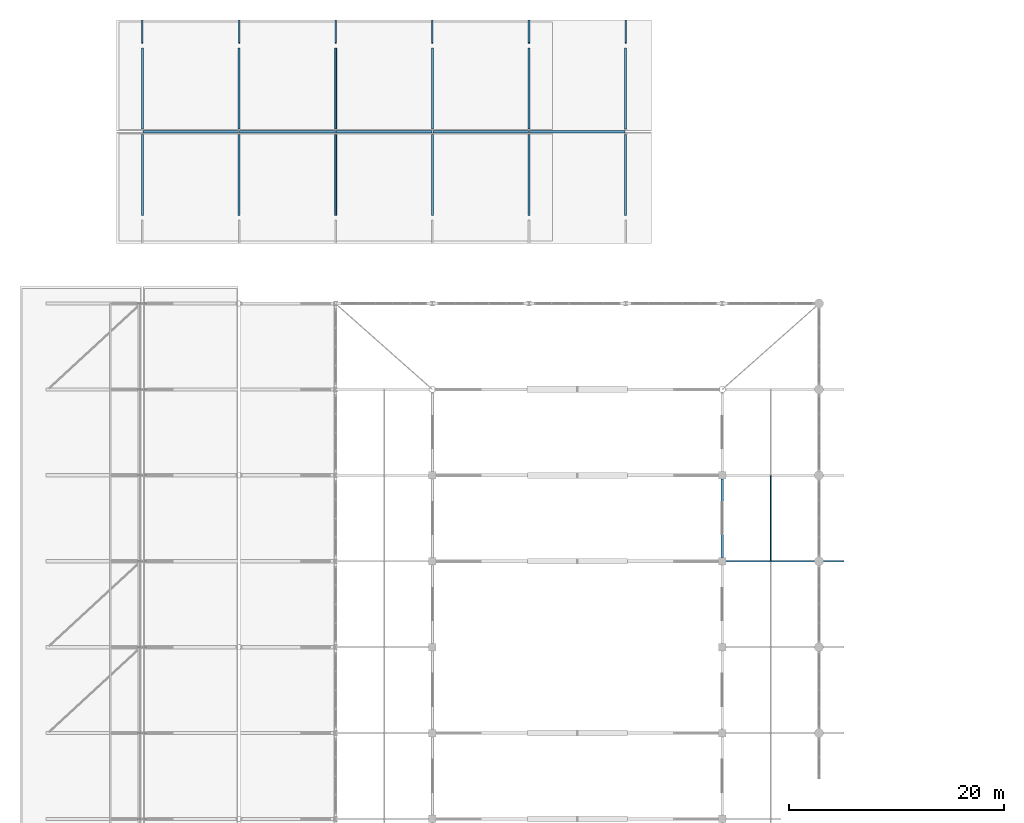
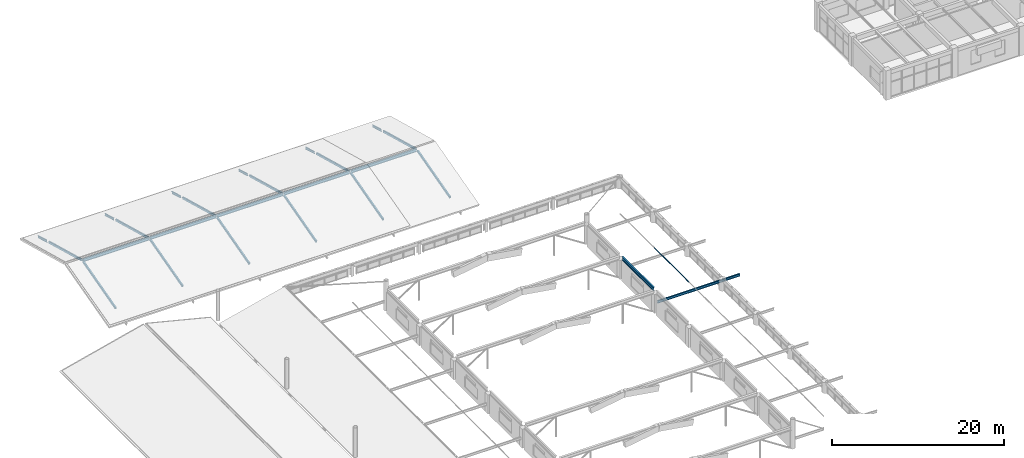
# One storey, part 56 of 128: 13 beams, 13 members.
"""IFC4 building model written with IfcOpenShell, lengths in metres."""

import ifcopenshell
import ifcopenshell.guid

model = None  # the IFC model being written
_history = None  # IfcOwnerHistory: only IFC2X3 demands one
_inside = {}  # id of a spatial element -> (the spatial element, [elements in it])
_under = {}  # id of a project, library or spatial element -> (it, [spatial elements below it])
_declared = {}  # id of a project -> (the project, [libraries it declares])
_typed = {}  # id of a type object -> (the type object, [elements of that type])
_made_of = {}  # id of a material, layer set ... -> (it, [elements and type objects made of it])


def new_model(schema):
    """Start an empty IFC model of exactly this schema.

    Asked for "IFC4X3", IfcOpenShell would pick the latest addendum, in which some entities
    have other attributes; the version numbers below select the first issue.
    IFC2X3 requires an IfcOwnerHistory on every rooted entity: one is made here for all.
    """
    global model, _history
    if schema == "IFC4X3":
        model = ifcopenshell.file(schema_version=(4, 3, 0, 0))
    else:
        model = ifcopenshell.file(schema=schema)
    _inside.clear()
    _under.clear()
    _declared.clear()
    _typed.clear()
    _made_of.clear()
    _history = None
    if model.schema == "IFC2X3":
        org = make("IfcOrganization", Name="unknown")
        user = make(
            "IfcPersonAndOrganization",
            ThePerson=make("IfcPerson", FamilyName="unknown"),
            TheOrganization=org,
        )
        app = make(
            "IfcApplication",
            ApplicationDeveloper=org,
            Version="unknown",
            ApplicationFullName="unknown",
            ApplicationIdentifier="unknown",
        )
        _history = make(
            "IfcOwnerHistory",
            OwningUser=user,
            OwningApplication=app,
            ChangeAction="ADDED",
            CreationDate=0,
        )
    return model


def make(cls, **values):
    """One entity of the class cls with the attributes given. An attribute that is None is left unset."""
    return model.create_entity(
        cls, **{name: value for name, value in values.items() if value is not None}
    )


def rooted(cls, **values):
    """An entity with a GlobalId (a new one), such as an element, a storey or a relation."""
    return make(cls, GlobalId=ifcopenshell.guid.new(), OwnerHistory=_history, **values)


def si_unit(unit_type, name, prefix=None):
    """IfcSIUnit, for example si_unit("LENGTHUNIT", "METRE", prefix="MILLI")."""
    return make("IfcSIUnit", UnitType=unit_type, Prefix=prefix, Name=name)


def derived_unit(unit_type, elements):
    """IfcDerivedUnit: a product of units, each with its exponent."""
    return make(
        "IfcDerivedUnit",
        Elements=[
            make("IfcDerivedUnitElement", Unit=unit, Exponent=power)
            for unit, power in elements
        ],
        UnitType=unit_type,
    )


def assignment(units):
    """IfcUnitAssignment: the units of a project."""
    return None if units is None else make("IfcUnitAssignment", Units=units)


def point(xyz):
    """IfcCartesianPoint."""
    return None if xyz is None else make("IfcCartesianPoint", Coordinates=xyz)


def direction(xyz):
    """IfcDirection."""
    return None if xyz is None else make("IfcDirection", DirectionRatios=xyz)


def frame(location, z_axis=None, x_axis=None):
    """IfcAxis2Placement3D, a coordinate frame: its origin and axes. An axis left out is left unset."""
    return make(
        "IfcAxis2Placement3D",
        Location=point(location),
        Axis=direction(z_axis),
        RefDirection=direction(x_axis),
    )


def frame_2d(location, x_axis=None):
    """IfcAxis2Placement2D, a coordinate frame in the plane: its origin and x axis."""
    return make(
        "IfcAxis2Placement2D", Location=point(location), RefDirection=direction(x_axis)
    )


def origin():
    """The frame at (0, 0, 0) with its axes left unset."""
    return frame((0.0, 0.0, 0.0))


def origin_2d():
    """The frame at (0, 0) in the plane with its x axis left unset."""
    return frame_2d((0.0, 0.0))


def place(relative_to, where):
    """IfcLocalPlacement: puts the frame where relative to a parent placement (None: the world)."""
    return make(
        "IfcLocalPlacement", PlacementRelTo=relative_to, RelativePlacement=where
    )


def context(
    kind, dimensions, precision=None, world=None, true_north=None, identifier=None
):
    """IfcGeometricRepresentationContext, for example the 3D "Model" context."""
    return make(
        "IfcGeometricRepresentationContext",
        ContextIdentifier=identifier,
        ContextType=kind,
        CoordinateSpaceDimension=dimensions,
        Precision=precision,
        WorldCoordinateSystem=world,
        TrueNorth=true_north,
    )


def subcontext(parent, identifier, kind, view, scale=None):
    """IfcGeometricRepresentationSubContext, for example "Body" below "Model"."""
    return make(
        "IfcGeometricRepresentationSubContext",
        ContextIdentifier=identifier,
        ContextType=kind,
        ParentContext=parent,
        TargetScale=scale,
        TargetView=view,
    )


def project(units=None, contexts=None):
    """IfcProject with its units and contexts."""
    return rooted(
        "IfcProject",
        Name="project",
        RepresentationContexts=contexts,
        UnitsInContext=assignment(units),
    )


def spatial(cls, under=None, at=None, **own):
    """A site, building, storey or space (cls), placed at a placement, below another one or the project."""
    s = rooted(cls, ObjectPlacement=at, **own)
    if under is not None:
        _under.setdefault(under.id(), (under, []))[1].append(s)
    return s


def profile(cls, at=None, kind="AREA", **sizes):
    """A parametric profile (cls). Its sizes go by their IFC names, for example OverallWidth=200.0."""
    return make(cls, ProfileType=kind, Position=at, **sizes)


def hollow_rectangle(**sizes):
    """IfcRectangleHollowProfileDef."""
    return profile("IfcRectangleHollowProfileDef", **sizes)


def hollow_circle(**sizes):
    """IfcCircleHollowProfileDef."""
    return profile("IfcCircleHollowProfileDef", **sizes)


def i_section(**sizes):
    """IfcIShapeProfileDef."""
    return profile("IfcIShapeProfileDef", **sizes)


def extrude(swept, where, along, depth):
    """IfcExtrudedAreaSolid: the profile swept, set in the frame where, extruded along a direction by depth."""
    return make(
        "IfcExtrudedAreaSolid",
        SweptArea=swept,
        Position=where,
        ExtrudedDirection=direction(along),
        Depth=depth,
    )


def shape(context_of_items, identifier, shape_type, items):
    """IfcShapeRepresentation: the items that make up one representation, for example the "Body"."""
    return make(
        "IfcShapeRepresentation",
        ContextOfItems=context_of_items,
        RepresentationIdentifier=identifier,
        RepresentationType=shape_type,
        Items=items,
    )


def material(Name=None, Category=None):
    """IfcMaterial."""
    return make("IfcMaterial", Name=Name, Category=Category)


def material_profile(
    of_material, cross_section, Name=None, Category=None, Priority=None
):
    """IfcMaterialProfile: a cross section and its material."""
    return make(
        "IfcMaterialProfile",
        Name=Name,
        Material=of_material,
        Profile=cross_section,
        Priority=Priority,
        Category=Category,
    )


def profile_set(profiles, Name=None, composite=None):
    """IfcMaterialProfileSet."""
    return make(
        "IfcMaterialProfileSet",
        Name=Name,
        MaterialProfiles=profiles,
        CompositeProfile=composite,
    )


def made_of(thing, what):
    """Note that an element or type object is made of a material, layer set ...; save() writes the relation."""
    if what is not None:
        _made_of.setdefault(what.id(), (what, []))[1].append(thing)
    return thing


def type_object(cls, material=None, **own):
    """A type object (cls), such as IfcWallType, which elements share."""
    return made_of(rooted(cls, **own), material)


def element(
    cls,
    number,
    at=None,
    inside=None,
    cuts=None,
    type_object=None,
    material=None,
    context=None,
    identifier="Body",
    shape_type=None,
    held_by="IfcProductDefinitionShape",
    body=None,
    shapes=None,
    **own,
):
    """One element of the class cls, such as IfcWall. Its Tag is "e" and its number.

    at: its placement. inside: the storey or other place that contains it. cuts: it is an
    opening in that element (IfcRelVoidsElement). A single representation is given by context,
    identifier, shape_type and body (its items); several are given by shapes. held_by: the class
    of the entity that holds the representations. save() writes the other relations.
    """
    e = rooted(cls, Tag="e%d" % number, ObjectPlacement=at, **own)
    if body is not None:
        shapes = [shape(context, identifier, shape_type, body)]
    if shapes is not None:
        e.Representation = make(held_by, Representations=shapes)
    if inside is not None:
        _inside.setdefault(inside.id(), (inside, []))[1].append(e)
    if cuts is not None:
        rooted(
            "IfcRelVoidsElement", RelatingBuildingElement=cuts, RelatedOpeningElement=e
        )
    if type_object is not None:
        _typed.setdefault(type_object.id(), (type_object, []))[1].append(e)
    return made_of(e, material)


def aggregate(whole, parts):
    """IfcRelAggregates: a whole, such as a stair, and the parts it consists of."""
    return rooted("IfcRelAggregates", RelatingObject=whole, RelatedObjects=parts)


def save(model, path):
    """Write the relations noted so far, then the file.

    IfcRelAggregates (storeys below a building ...), IfcRelContainedInSpatialStructure (elements
    in a storey), IfcRelDefinesByType, IfcRelAssociatesMaterial and IfcRelDeclares: one each for
    every whole, place, type object, material and project.
    """
    for whole, parts in _under.values():
        aggregate(whole, parts)
    for where, things in _inside.values():
        rooted(
            "IfcRelContainedInSpatialStructure",
            RelatedElements=things,
            RelatingStructure=where,
        )
    for kind, things in _typed.values():
        rooted("IfcRelDefinesByType", RelatedObjects=things, RelatingType=kind)
    for what, things in _made_of.values():
        rooted("IfcRelAssociatesMaterial", RelatedObjects=things, RelatingMaterial=what)
    for by, libraries in _declared.values():
        rooted("IfcRelDeclares", RelatingContext=by, RelatedDefinitions=libraries)
    model.write(path)


model = new_model("IFC4")

# Units and contexts
model_context = context("Model", 3, precision=1e-05, world=origin(), true_north=direction((0.0, 1.0)))
body_context = subcontext(model_context, "Body", "Model", "MODEL_VIEW")
ifc_project = project(units=[si_unit("LENGTHUNIT", "METRE"), si_unit("AREAUNIT", "SQUARE_METRE"), si_unit("VOLUMEUNIT", "CUBIC_METRE"), si_unit("PLANEANGLEUNIT", "RADIAN"), si_unit("MASSUNIT", "GRAM", prefix="KILO"), derived_unit("THERMALTRANSMITTANCEUNIT", [(si_unit("MASSUNIT", "GRAM", prefix="KILO"), 1), (si_unit("TIMEUNIT", "SECOND"), -3), (si_unit("THERMODYNAMICTEMPERATUREUNIT", "KELVIN"), -1)])], contexts=[model_context])

# Site, building, storey
site_placement = place(None, origin())
site = spatial("IfcSite", under=ifc_project, at=site_placement, CompositionType="ELEMENT")
building_placement = place(site_placement, origin())
building = spatial("IfcBuilding", under=site, at=building_placement, Name="Zhenchuan Archway Interchange", CompositionType="ELEMENT")
storey_placement = place(building_placement, frame((0.0, 0.0, 14.39990234375)))
storey = spatial("IfcBuildingStorey", under=building, at=storey_placement, Name="L03", CompositionType="ELEMENT", Elevation=14.39990234375)

# Beams
ifc_material_1 = material(Name="Steel Q355", Category="steel")
ifc_material_profile_1 = material_profile(ifc_material_1, i_section(OverallWidth=0.14990234375, OverallDepth=0.300048828125, WebThickness=0.006591796875, FlangeThickness=0.009033203125, FilletRadius=0.012939453125, at=origin_2d()), Name="HN 300x150")
ifc_profile_set_1 = profile_set([ifc_material_profile_1], Name="Steel Q355")
beam_type_1 = type_object("IfcBeamType", Name="BM_STL_EAVE_HN300", PredefinedType="BEAM", material=ifc_profile_set_1)
for number, where, z_axis, x_axis, name in (
    (1, (9.0, 112.25, -0.3798828125), (0.0, 0.961515511102, -0.274750654067), (-1.0, 0.0, 0.0), "Terminal Wing storm-eave bracket X9-N"),
    (2, (18.0, 112.25, -0.3798828125), (0.0, 0.961515511102, -0.274750654067), (-1.0, 0.0, 0.0), "Terminal Wing storm-eave bracket X18-N"),
    (3, (27.0, 112.25, -0.3798828125), (0.0, 0.961515511102, -0.274750654067), (-1.0, 0.0, 0.0), "Terminal Wing storm-eave bracket X27-N"),
    (4, (36.0, 112.25, -0.3798828125), (0.0, 0.961515511102, -0.274750654067), (-1.0, 0.0, 0.0), "Terminal Wing storm-eave bracket X36-N"),
    (5, (45.0, 112.25, -0.3798828125), (0.0, 0.961515511102, -0.274750654067), (-1.0, 0.0, 0.0), "Terminal Wing storm-eave bracket X45-N"),
    (6, (54.0, 112.25, -0.3798828125), (0.0, 0.961515511102, -0.274750654067), (-1.0, 0.0, 0.0), "Terminal Wing storm-eave bracket X54-N"),
):
    element("IfcBeam", number, at=place(storey_placement, frame(where, z_axis=z_axis, x_axis=x_axis)), inside=storey, type_object=beam_type_1, Name=name, PredefinedType="BEAM", context=body_context, shape_type="SweptSolid", body=[
        extrude(i_section(OverallWidth=0.14990234375, OverallDepth=0.300048828125, WebThickness=0.006591796875, FlangeThickness=0.009033203125, FilletRadius=0.012939453125, at=origin_2d()), origin(), (0.0, 0.0, 1.0), 2.18408203125),
    ])
ifc_material_profile_2 = material_profile(ifc_material_1, i_section(OverallWidth=0.175048828125, OverallDepth=0.35009765625, WebThickness=0.007080078125, FlangeThickness=0.010986328125, FilletRadius=0.013916015625, at=origin_2d()), Name="HN 350x175")
ifc_profile_set_2 = profile_set([ifc_material_profile_2], Name="Steel Q355")
beam_type_2 = type_object("IfcBeamType", Name="BM_STL_EAVE_HN350", PredefinedType="BEAM", material=ifc_profile_set_2)
beam_1_placement = place(storey_placement, frame((63.25, 64.0, 1.25), z_axis=(1.0, 0.0, 0.0), x_axis=(0.0, 1.0, 0.0)))
element("IfcBeam", 7, at=beam_1_placement, inside=storey, type_object=beam_type_2, Name="Concourse east storm-eave continuous rafter 6", PredefinedType="BEAM", context=body_context, shape_type="SweptSolid", body=[
    extrude(i_section(OverallWidth=0.175048828125, OverallDepth=0.35009765625, WebThickness=0.007080078125, FlangeThickness=0.010986328125, FilletRadius=0.013916015625, at=origin_2d()), origin(), (0.0, 0.0, 1.0), 11.10009765625),
])
ifc_material_profile_3 = material_profile(ifc_material_1, i_section(OverallWidth=0.199951171875, OverallDepth=0.39990234375, WebThickness=0.008056640625, FlangeThickness=0.012939453125, FilletRadius=0.01611328125, at=origin_2d()), Name="HN 400x200")
ifc_profile_set_3 = profile_set([ifc_material_profile_3], Name="Steel Q355")
beam_type_3 = type_object("IfcBeamType", Name="BM_STL_GABLE_HN400", PredefinedType="BEAM", material=ifc_profile_set_3)
for number, where, z_axis, x_axis, name in (
    (8, (9.0400390625, 104.0, 1.880126953125), (1.0, 0.0, 0.0), (0.0, 1.0, 0.0), "Terminal Wing ridge beam 1"),
    (9, (18.0400390625, 104.0, 1.880126953125), (1.0, 0.0, 0.0), (0.0, 1.0, 0.0), "Terminal Wing ridge beam 2"),
    (10, (27.0400390625, 104.0, 1.880126953125), (1.0, 0.0, 0.0), (0.0, 1.0, 0.0), "Terminal Wing ridge beam 3"),
    (11, (36.0400390625, 104.0, 1.880126953125), (1.0, 0.0, 0.0), (0.0, 1.0, 0.0), "Terminal Wing ridge beam 4"),
    (12, (45.0400390625, 104.0, 1.880126953125), (1.0, 0.0, 0.0), (0.0, 1.0, 0.0), "Terminal Wing ridge beam 5"),
):
    element("IfcBeam", number, at=place(storey_placement, frame(where, z_axis=z_axis, x_axis=x_axis)), inside=storey, type_object=beam_type_3, Name=name, PredefinedType="BEAM", context=body_context, shape_type="SweptSolid", body=[
        extrude(i_section(OverallWidth=0.199951171875, OverallDepth=0.39990234375, WebThickness=0.008056640625, FlangeThickness=0.012939453125, FilletRadius=0.01611328125, at=origin_2d()), origin(), (0.0, 0.0, 1.0), 8.919921875),
    ])
ifc_material_profile_4 = material_profile(ifc_material_1, i_section(OverallWidth=0.199951171875, OverallDepth=0.5, WebThickness=0.010009765625, FlangeThickness=0.01611328125, FilletRadius=0.02001953125, at=origin_2d()), Name="HN 500x200")
ifc_profile_set_4 = profile_set([ifc_material_profile_4], Name="Steel Q355")
beam_type_4 = type_object("IfcBeamType", Name="BM_STL_HN500", PredefinedType="BEAM", material=ifc_profile_set_4)
beam_2_placement = place(storey_placement, frame((63.0, 64.360107421875, 2.9501953125), z_axis=(0.0, 1.0, 0.0), x_axis=(-1.0, 0.0, 0.0)))
element("IfcBeam", 13, at=beam_2_placement, inside=storey, type_object=beam_type_4, Name="Concourse clerestory header beam E 64-72", PredefinedType="BEAM", context=body_context, shape_type="SweptSolid", body=[
    extrude(i_section(OverallWidth=0.199951171875, OverallDepth=0.5, WebThickness=0.010009765625, FlangeThickness=0.01611328125, FilletRadius=0.02001953125, at=origin_2d()), origin(), (0.0, 0.0, 1.0), 7.27978515625),
])

# Members
ifc_material_2 = material(Name="Steel Q390", Category="steel")
ifc_material_profile_5 = material_profile(ifc_material_2, hollow_circle(Radius=0.04443359375, WallThickness=0.006103515625, at=origin_2d()), Name="CHS 89x6")
ifc_profile_set_5 = profile_set([ifc_material_profile_5], Name="Steel Q390")
member_type_1 = type_object("IfcMemberType", Name="MB_CBL_CHS89", PredefinedType="USERDEFINED", material=ifc_profile_set_5)
member_placement = place(storey_placement, frame((67.5, 64.02001953125, 2.60009765625), z_axis=(0.0, 1.0, 0.0), x_axis=(-1.0, 0.0, 0.0)))
element("IfcMember", 14, at=member_placement, inside=storey, type_object=member_type_1, Name="CONCOURSE ROOF CABLE longitudinal net strand 5-6", ObjectType="CABLE", PredefinedType="USERDEFINED", context=body_context, shape_type="SweptSolid", body=[
    extrude(hollow_circle(Radius=0.04443359375, WallThickness=0.006103515625, at=origin_2d()), origin(), (0.0, 0.0, 1.0), 7.9599609375),
])
ifc_material_profile_6 = material_profile(ifc_material_1, hollow_rectangle(XDim=0.199951171875, YDim=0.300048828125, WallThickness=0.010009765625, InnerFilletRadius=0.010009765625, OuterFilletRadius=0.02001953125, at=origin_2d()), Name="RHS 300x200x10")
ifc_profile_set_6 = profile_set([ifc_material_profile_6], Name="Steel Q355")
member_type_2 = type_object("IfcMemberType", Name="MB_RHS300", PredefinedType="CHORD", material=ifc_profile_set_6)
for number, where, z_axis, x_axis, name in (
    (15, (9.0, 96.25, -0.199951171875), (0.0, 0.965057039702, 0.262039901774), (-1.0, 0.0, 0.0), "Terminal Wing south storm rafter X9"),
    (16, (9.0, 104.199951171875, 1.85009765625), (0.0, 0.965057039702, -0.262039901774), (-1.0, 0.0, 0.0), "Terminal Wing north storm rafter X9"),
    (17, (18.0, 96.25, -0.199951171875), (0.0, 0.965057039702, 0.262039901774), (-1.0, 0.0, 0.0), "Terminal Wing south storm rafter X18"),
    (18, (18.0, 104.199951171875, 1.85009765625), (0.0, 0.965057039702, -0.262039901774), (-1.0, 0.0, 0.0), "Terminal Wing north storm rafter X18"),
    (19, (27.0, 96.25, -0.199951171875), (0.0, 0.965057039702, 0.262039901774), (-1.0, 0.0, 0.0), "Terminal Wing south storm rafter X27"),
    (20, (27.0, 104.199951171875, 1.85009765625), (0.0, 0.965057039702, -0.262039901774), (-1.0, 0.0, 0.0), "Terminal Wing north storm rafter X27"),
    (21, (36.0, 96.25, -0.199951171875), (0.0, 0.965057039702, 0.262039901774), (-1.0, 0.0, 0.0), "Terminal Wing south storm rafter X36"),
    (22, (36.0, 104.199951171875, 1.85009765625), (0.0, 0.965057039702, -0.262039901774), (-1.0, 0.0, 0.0), "Terminal Wing north storm rafter X36"),
    (23, (45.0, 96.25, -0.199951171875), (0.0, 0.965057039702, 0.262039901774), (-1.0, 0.0, 0.0), "Terminal Wing south storm rafter X45"),
    (24, (45.0, 104.199951171875, 1.85009765625), (0.0, 0.965057039702, -0.262039901774), (-1.0, 0.0, 0.0), "Terminal Wing north storm rafter X45"),
    (25, (54.0, 96.25, -0.199951171875), (0.0, 0.965057039702, 0.262039901774), (-1.0, 0.0, 0.0), "Terminal Wing south storm rafter X54"),
    (26, (54.0, 104.199951171875, 1.85009765625), (0.0, 0.965057039702, -0.262039901774), (-1.0, 0.0, 0.0), "Terminal Wing north storm rafter X54"),
):
    element("IfcMember", number, at=place(storey_placement, frame(where, z_axis=z_axis, x_axis=x_axis)), inside=storey, type_object=member_type_2, Name=name, PredefinedType="CHORD", context=body_context, shape_type="SweptSolid", body=[
        extrude(hollow_rectangle(XDim=0.199951171875, YDim=0.300048828125, WallThickness=0.010009765625, InnerFilletRadius=0.010009765625, OuterFilletRadius=0.02001953125, at=origin_2d()), origin(), (0.0, 0.0, 1.0), 7.823486328125),
    ])

save(model, "model.ifc")
